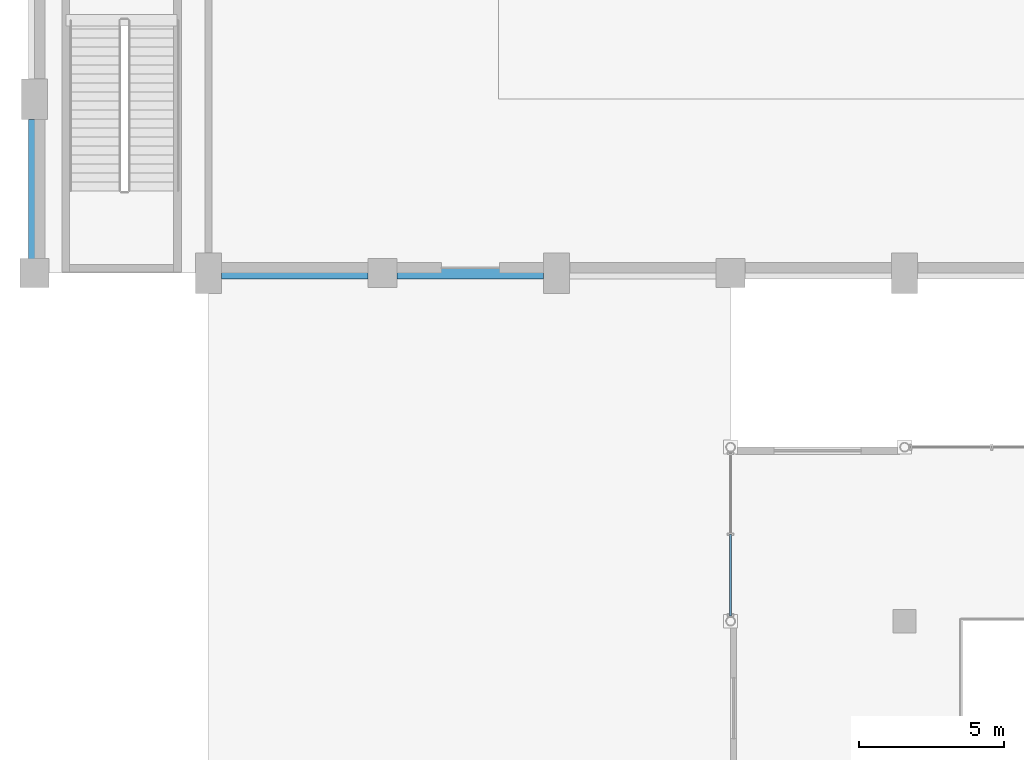
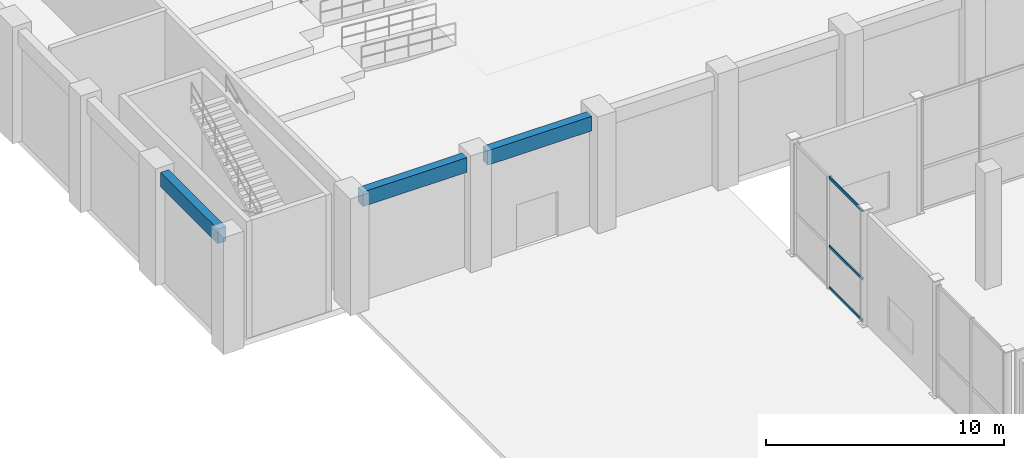
# One storey, part 24 of 106: 3 beams, 3 members, 1 element without a shape of its own.
"""IFC4 building model written with IfcOpenShell, lengths in metres."""

from ifc_helpers import new_model, si_unit, direction, frame, origin, origin_2d, place, context, subcontext, project, spatial, rectangle, hollow_rectangle, extrude, material, material_profile, profile_set, type_object, element, aggregate, save


model = new_model("IFC4")

# Units and contexts
model_context = context("Model", 3, precision=1e-05, world=origin(), true_north=direction((0.0, 1.0)))
body_context = subcontext(model_context, "Body", "Model", "MODEL_VIEW")
ifc_project = project(units=[si_unit("LENGTHUNIT", "METRE"), si_unit("AREAUNIT", "SQUARE_METRE"), si_unit("VOLUMEUNIT", "CUBIC_METRE"), si_unit("PLANEANGLEUNIT", "RADIAN"), si_unit("MASSUNIT", "GRAM", prefix="KILO"), si_unit("THERMODYNAMICTEMPERATUREUNIT", "KELVIN"), si_unit("POWERUNIT", "WATT")], contexts=[model_context])

# Site, building, storey
site_placement = place(None, origin())
site = spatial("IfcSite", under=ifc_project, at=site_placement, CompositionType="ELEMENT")
building_placement = place(site_placement, origin())
building = spatial("IfcBuilding", under=site, at=building_placement, Name="Phaisarnlok Congress Hotel", CompositionType="ELEMENT")
storey_placement = place(building_placement, origin())
storey = spatial("IfcBuildingStorey", under=building, at=storey_placement, Name="L00", CompositionType="ELEMENT", Elevation=0.0)

# Curtain wall, members
ifc_material_1 = material(Name="Thermally Broken Unitised Aluminium & Low-E Glazing", Category="aluminium")
curtain_wall_type = type_object("IfcCurtainWallType", Name="CW-UNIT-07", PredefinedType="NOTDEFINED", material=ifc_material_1)
curtain_wall_placement = place(storey_placement, origin())
curtain_wall = element("IfcCurtainWall", 1, at=curtain_wall_placement, inside=storey, type_object=curtain_wall_type, Name="Unitised curtain wall CW-07 (L00)", PredefinedType="NOTDEFINED")
ifc_material_2 = material(Name="Anodised Aluminium Alloy 6063-T6", Category="aluminium")
ifc_material_profile_1 = material_profile(ifc_material_2, hollow_rectangle(XDim=0.06494140625, YDim=0.139892578125, WallThickness=0.00390625, at=origin_2d()), Name="ALU-T 65x140x4")
ifc_profile_set_1 = profile_set([ifc_material_profile_1], Name="Anodised Aluminium Alloy 6063-T6")
member_type = type_object("IfcMemberType", Name="CWT-150", PredefinedType="USERDEFINED", material=ifc_profile_set_1)
member_1_placement = place(storey_placement, frame((24.0, 32.985107421875, 0.050048828125), z_axis=(0.0, -1.0, 0.0), x_axis=(1.0, 0.0, 0.0)))
member_1 = element("IfcMember", 2, at=member_1_placement, type_object=member_type, Name="Curtain wall transom CWT-01", ObjectType="TRANSOM", PredefinedType="USERDEFINED", context=body_context, shape_type="SweptSolid", body=[
    extrude(hollow_rectangle(XDim=0.06494140625, YDim=0.139892578125, WallThickness=0.00390625, at=origin_2d()), origin(), (0.0, 0.0, 1.0), 2.798095703125),
])
member_2_placement = place(storey_placement, frame((24.0, 32.985107421875, 2.18115234375), z_axis=(0.0, -1.0, 0.0), x_axis=(1.0, 0.0, 0.0)))
member_2 = element("IfcMember", 3, at=member_2_placement, type_object=member_type, Name="Curtain wall transom CWT-01", ObjectType="TRANSOM", PredefinedType="USERDEFINED", context=body_context, shape_type="SweptSolid", body=[
    extrude(hollow_rectangle(XDim=0.06494140625, YDim=0.139892578125, WallThickness=0.00390625, at=origin_2d()), origin(), (0.0, 0.0, 1.0), 2.798095703125),
])
member_3_placement = place(storey_placement, frame((24.0, 32.985107421875, 5.68994140625), z_axis=(0.0, -1.0, 0.0), x_axis=(1.0, 0.0, 0.0)))
member_3 = element("IfcMember", 4, at=member_3_placement, type_object=member_type, Name="Curtain wall transom CWT-01", ObjectType="TRANSOM", PredefinedType="USERDEFINED", context=body_context, shape_type="SweptSolid", body=[
    extrude(hollow_rectangle(XDim=0.06494140625, YDim=0.139892578125, WallThickness=0.00390625, at=origin_2d()), origin(), (0.0, 0.0, 1.0), 2.798095703125),
])
aggregate(curtain_wall, [member_1, member_2, member_3])

# Beams
ifc_material_3 = material(Name="Concrete C40/50", Category="concrete")
ifc_material_profile_2 = material_profile(ifc_material_3, rectangle(XDim=0.39990234375, YDim=0.75, at=origin_2d()), Name="RC 400x750")
ifc_profile_set_2 = profile_set([ifc_material_profile_2], Name="Concrete C40/50")
beam_type = type_object("IfcBeamType", Name="SP-RC-400x750", PredefinedType="SPANDREL", material=ifc_profile_set_2)
beam_placement = place(storey_placement, frame((0.0, 42.4951171875, 5.364990234375), z_axis=(0.0, 1.0, 0.0), x_axis=(-1.0, 0.0, 0.0)))
element("IfcBeam", 5, at=beam_placement, inside=storey, type_object=beam_type, Name="Beam SP-02", PredefinedType="SPANDREL", context=body_context, shape_type="SweptSolid", body=[
    extrude(rectangle(XDim=0.39990234375, YDim=0.75, at=origin_2d()), origin(), (0.0, 0.0, 1.0), 4.809814453125),
])
for number, where, z_axis, x_axis, name in (
    (6, (6.445068359375, 42.0, 5.364990234375), (1.0, 0.0, 0.0), (0.0, 1.0, 0.0), "Beam SP-02"),
    (7, (12.4951171875, 42.0, 5.364990234375), (1.0, 0.0, 0.0), (0.0, 1.0, 0.0), "Beam SP-02"),
):
    element("IfcBeam", number, at=place(storey_placement, frame(where, z_axis=z_axis, x_axis=x_axis)), inside=storey, type_object=beam_type, Name=name, PredefinedType="SPANDREL", context=body_context, shape_type="SweptSolid", body=[
        extrude(rectangle(XDim=0.39990234375, YDim=0.75, at=origin_2d()), origin(), (0.0, 0.0, 1.0), 5.059814453125),
    ])

save(model, "model.ifc")
